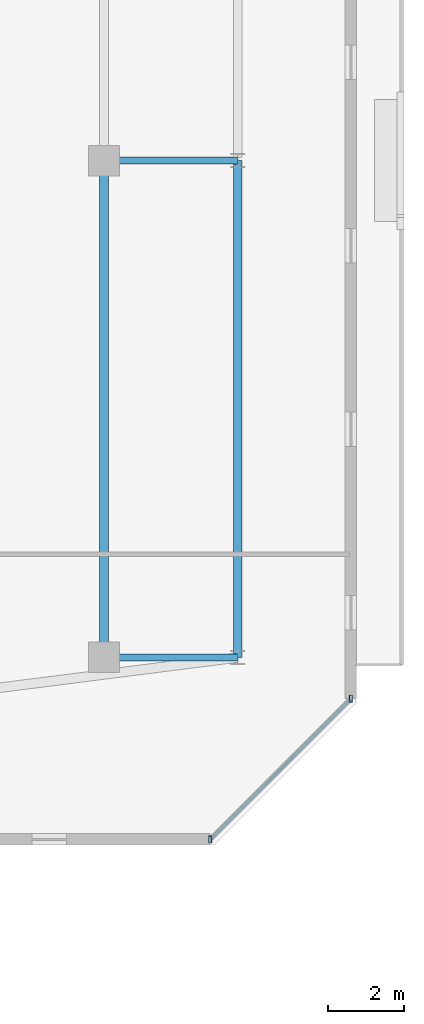
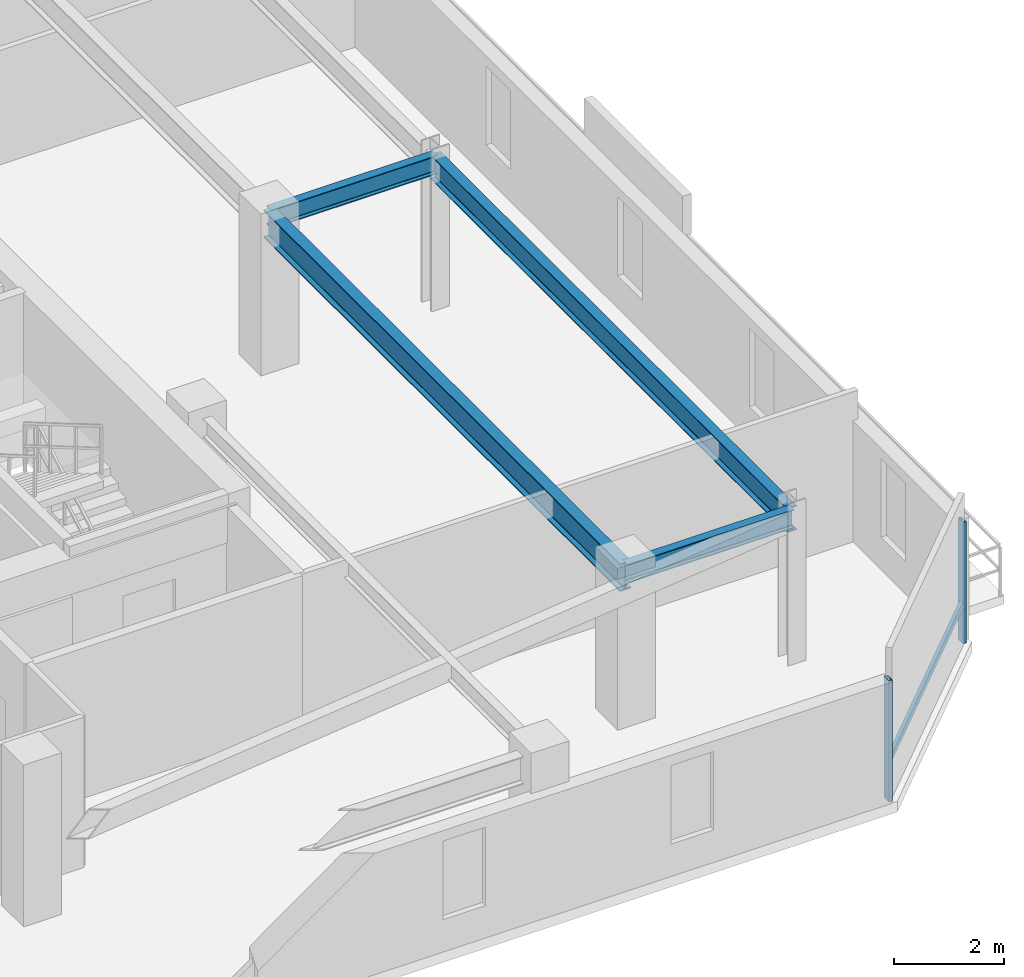
# One storey, part 16 of 34: 4 beams, 3 members, 1 element without a shape of its own.
"""IFC4 building model written with IfcOpenShell, lengths in metres."""

from ifc_helpers import new_model, si_unit, direction, frame, origin, origin_2d, place, context, subcontext, project, spatial, hollow_rectangle, i_section, extrude, material, material_profile, profile_set, type_object, element, aggregate, save


model = new_model("IFC4")

# Units and contexts
model_context = context("Model", 3, precision=1e-05, world=origin(), true_north=direction((0.0, 1.0)))
body_context = subcontext(model_context, "Body", "Model", "MODEL_VIEW")
ifc_project = project(units=[si_unit("LENGTHUNIT", "METRE"), si_unit("AREAUNIT", "SQUARE_METRE"), si_unit("VOLUMEUNIT", "CUBIC_METRE"), si_unit("PLANEANGLEUNIT", "RADIAN"), si_unit("MASSUNIT", "GRAM", prefix="KILO")], contexts=[model_context])

# Site, building, storey
site_placement = place(None, origin())
site = spatial("IfcSite", under=ifc_project, at=site_placement, CompositionType="ELEMENT")
building_placement = place(site_placement, origin())
building = spatial("IfcBuilding", under=site, at=building_placement, Name="Thornwick Lancets Civic Towers", CompositionType="ELEMENT")
storey_placement = place(building_placement, frame((0.0, 0.0, 261.89990234375)))
storey = spatial("IfcBuildingStorey", under=building, at=storey_placement, Name="L70", CompositionType="ELEMENT", Elevation=261.89990234375)

# Beams
ifc_material_1 = material(Name="Steel S355JR", Category="steel")
ifc_material_profile_1 = material_profile(ifc_material_1, i_section(OverallWidth=0.210693359375, OverallDepth=0.53955078125, WebThickness=0.01171875, FlangeThickness=0.018798828125, FilletRadius=0.0126953125, at=origin_2d()), Name="UKB 533x210x109")
ifc_profile_set_1 = profile_set([ifc_material_profile_1], Name="Steel S355JR")
beam_type_1 = type_object("IfcBeamType", Name="BM_EDGE_533_109", PredefinedType="SPANDREL", material=ifc_profile_set_1)
beam_1_placement = place(storey_placement, frame((109.300048828125, 14.0, 3.09033203125), z_axis=(0.0, 1.0, 0.0), x_axis=(-1.0, 0.0, 0.0)))
element("IfcBeam", 1, at=beam_1_placement, inside=storey, type_object=beam_type_1, Name="BM-EDGE-L70-B-S0-1", PredefinedType="SPANDREL", context=body_context, shape_type="SweptSolid", body=[
    extrude(i_section(OverallWidth=0.210693359375, OverallDepth=0.53955078125, WebThickness=0.01171875, FlangeThickness=0.018798828125, FilletRadius=0.0126953125, at=origin_2d()), origin(), (0.0, 0.0, 1.0), 13.0),
])
ifc_material_profile_2 = material_profile(ifc_material_1, i_section(OverallWidth=0.230224609375, OverallDepth=0.6171875, WebThickness=0.01318359375, FlangeThickness=0.022216796875, FilletRadius=0.0126953125, at=origin_2d()), Name="UKB 610x229x140")
ifc_profile_set_2 = profile_set([ifc_material_profile_2], Name="Steel S355JR")
beam_type_2 = type_object("IfcBeamType", Name="BM_GIRD_610_140", PredefinedType="BEAM", material=ifc_profile_set_2)
beam_2_placement = place(storey_placement, frame((105.800048828125, 14.0, 3.051513671875), z_axis=(0.0, 1.0, 0.0), x_axis=(-1.0, 0.0, 0.0)))
element("IfcBeam", 2, at=beam_2_placement, inside=storey, type_object=beam_type_2, Name="BM-SPINE-L70-B-0-1", PredefinedType="BEAM", context=body_context, shape_type="SweptSolid", body=[
    extrude(i_section(OverallWidth=0.230224609375, OverallDepth=0.6171875, WebThickness=0.01318359375, FlangeThickness=0.022216796875, FilletRadius=0.0126953125, at=origin_2d()), origin(), (0.0, 0.0, 1.0), 13.0),
])
ifc_material_profile_3 = material_profile(ifc_material_1, i_section(OverallWidth=0.179443359375, OverallDepth=0.412841796875, WebThickness=0.009521484375, FlangeThickness=0.01611328125, FilletRadius=0.01025390625, at=origin_2d()), Name="UKB 406x178x74")
ifc_profile_set_3 = profile_set([ifc_material_profile_3], Name="Steel S355JR")
beam_type_3 = type_object("IfcBeamType", Name="BM_JOIST_406_74", PredefinedType="JOIST", material=ifc_profile_set_3)
for number, where, z_axis, x_axis, name in (
    (3, (105.800048828125, 14.0, 3.15380859375), (1.0, 0.0, 0.0), (0.0, 1.0, 0.0), "BM-RAD-L70-B01"),
    (4, (105.800048828125, 27.0, 3.15380859375), (1.0, 0.0, 0.0), (0.0, 1.0, 0.0), "BM-RAD-L70-B02"),
):
    element("IfcBeam", number, at=place(storey_placement, frame(where, z_axis=z_axis, x_axis=x_axis)), inside=storey, type_object=beam_type_3, Name=name, PredefinedType="JOIST", context=body_context, shape_type="SweptSolid", body=[
        extrude(i_section(OverallWidth=0.179443359375, OverallDepth=0.412841796875, WebThickness=0.009521484375, FlangeThickness=0.01611328125, FilletRadius=0.01025390625, at=origin_2d()), origin(), (0.0, 0.0, 1.0), 3.5),
    ])

# Curtain wall, members
ifc_material_2 = material(Name="High-zone chamfered-corner unitised glass curtain wall", Category="glass")
curtain_wall_type = type_object("IfcCurtainWallType", Name="CW_SYS_05", PredefinedType="NOTDEFINED", material=ifc_material_2)
curtain_wall_placement = place(storey_placement, origin())
curtain_wall = element("IfcCurtainWall", 5, at=curtain_wall_placement, inside=storey, type_object=curtain_wall_type, Name="L70 Curtain Wall CW-L70-B-E1", PredefinedType="NOTDEFINED")
ifc_material_3 = material(Name="Thermally broken bronze aluminium S355", Category="steel")
ifc_material_profile_4 = material_profile(ifc_material_3, hollow_rectangle(XDim=0.074951171875, YDim=0.179931640625, WallThickness=0.006103515625, at=origin_2d()), Name="RHS 180x75x6")
ifc_profile_set_4 = profile_set([ifc_material_profile_4], Name="Thermally broken bronze aluminium S355")
member_type_1 = type_object("IfcMemberType", Name="CW_MUL_180", PredefinedType="MULLION", material=ifc_profile_set_4)
member_1_placement = place(storey_placement, frame((108.57763671875, 9.239013671875, 0.0), z_axis=(0.0, 0.0, 1.0), x_axis=(1.0, 0.0, 0.0)))
member_1 = element("IfcMember", 6, at=member_1_placement, type_object=member_type_1, Name="CW-L70-B-E1 Mullion 0", PredefinedType="MULLION", context=body_context, shape_type="SweptSolid", body=[
    extrude(hollow_rectangle(XDim=0.074951171875, YDim=0.179931640625, WallThickness=0.006103515625, at=origin_2d()), origin(), (0.0, 0.0, 1.0), 2.7001953125),
])
member_2_placement = place(storey_placement, frame((112.260986328125, 12.92236328125, 0.0), z_axis=(0.0, 0.0, 1.0), x_axis=(1.0, 0.0, 0.0)))
member_2 = element("IfcMember", 7, at=member_2_placement, type_object=member_type_1, Name="CW-L70-B-E1 Mullion 1", PredefinedType="MULLION", context=body_context, shape_type="SweptSolid", body=[
    extrude(hollow_rectangle(XDim=0.074951171875, YDim=0.179931640625, WallThickness=0.006103515625, at=origin_2d()), origin(), (0.0, 0.0, 1.0), 2.7001953125),
])
ifc_material_profile_5 = material_profile(ifc_material_3, hollow_rectangle(XDim=0.074951171875, YDim=0.14990234375, WallThickness=0.0048828125, at=origin_2d()), Name="RHS 150x75x5")
ifc_profile_set_5 = profile_set([ifc_material_profile_5], Name="Thermally broken bronze aluminium S355")
member_type_2 = type_object("IfcMemberType", Name="CW_TRN_150", PredefinedType="USERDEFINED", material=ifc_profile_set_5)
member_3_placement = place(storey_placement, frame((108.591796875, 9.253173828125, 0.85009765625), z_axis=(0.707106781187, 0.707106781187, 0.0), x_axis=(-0.707106781187, 0.707106781187, 0.0)))
member_3 = element("IfcMember", 8, at=member_3_placement, type_object=member_type_2, Name="CW-L70-B-E1 Transom 0", ObjectType="TRANSOM", PredefinedType="USERDEFINED", context=body_context, shape_type="SweptSolid", body=[
    extrude(hollow_rectangle(XDim=0.074951171875, YDim=0.14990234375, WallThickness=0.0048828125, at=origin_2d()), origin(), (0.0, 0.0, 1.0), 5.1689453125),
])
aggregate(curtain_wall, [member_1, member_2, member_3])

save(model, "model.ifc")
